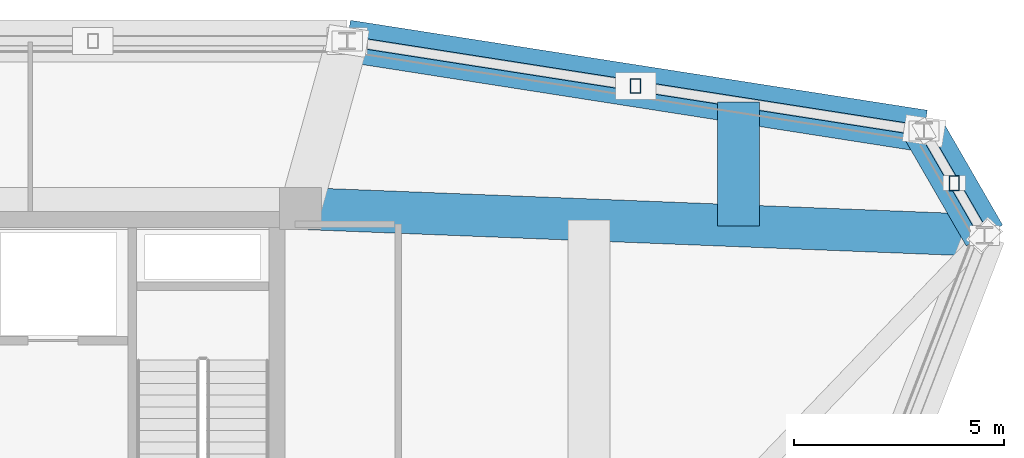
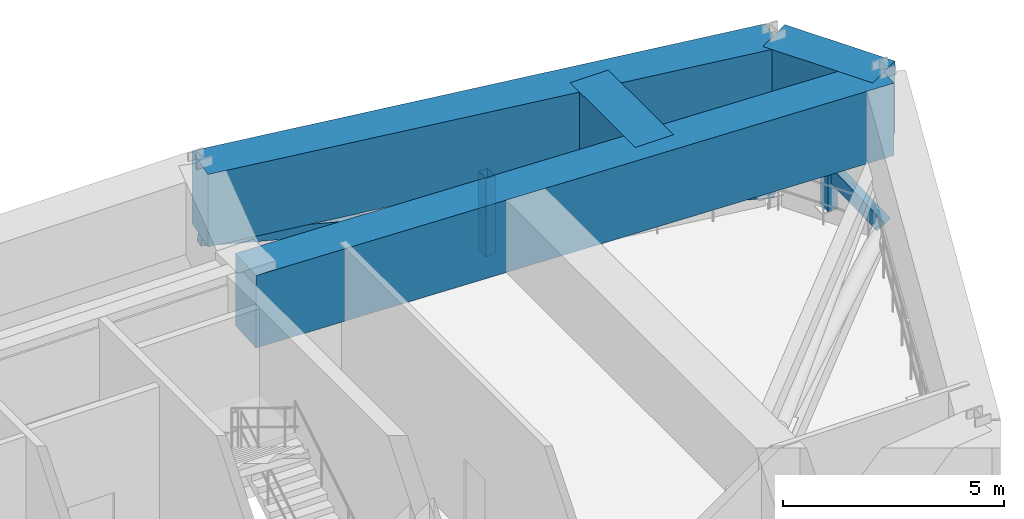
# One storey, part 6 of 11: 4 beams, 4 members.
"""IFC4 building model written with IfcOpenShell, lengths in metres."""

from ifc_helpers import new_model, si_unit, derived_unit, direction, frame, origin, origin_2d, place, context, subcontext, project, spatial, rectangle, hollow_rectangle, extrude, source, transform, mapped, material, material_profile, profile_set, type_object, element, save


model = new_model("IFC4")

# Units and contexts
model_context = context("Model", 3, precision=1e-05, world=origin(), true_north=direction((0.0, 1.0)))
body_context = subcontext(model_context, "Body", "Model", "MODEL_VIEW")
ifc_project = project(units=[si_unit("LENGTHUNIT", "METRE"), si_unit("AREAUNIT", "SQUARE_METRE"), si_unit("VOLUMEUNIT", "CUBIC_METRE"), si_unit("PLANEANGLEUNIT", "RADIAN"), si_unit("MASSUNIT", "GRAM", prefix="KILO"), derived_unit("THERMALTRANSMITTANCEUNIT", [(si_unit("POWERUNIT", "WATT"), 1), (si_unit("LENGTHUNIT", "METRE"), -2), (si_unit("THERMODYNAMICTEMPERATUREUNIT", "KELVIN"), -1)])], contexts=[model_context])

# Site, building, storey
site_placement = place(None, origin())
site = spatial("IfcSite", under=ifc_project, at=site_placement, CompositionType="ELEMENT")
building_placement = place(site_placement, origin())
building = spatial("IfcBuilding", under=site, at=building_placement, Name="Korsvarv Bourse and Concert Hall", CompositionType="ELEMENT")
storey_placement = place(building_placement, frame((0.0, 0.0, 238.199951171875)))
storey = spatial("IfcBuildingStorey", under=building, at=storey_placement, Name="L62", CompositionType="ELEMENT", Elevation=238.199951171875)

# Members
ifc_material_1 = material(Name="Steel S355", Category="steel")
ifc_material_profile_1 = material_profile(ifc_material_1, hollow_rectangle(XDim=0.25, YDim=0.35009765625, WallThickness=0.012451171875, at=origin_2d()), Name="RHS 350x250x12.5")
ifc_profile_set_1 = profile_set([ifc_material_profile_1], Name="Steel S355")
member_type = type_object("IfcMemberType", Name="MEM-RHS350", PredefinedType="STRUT", material=ifc_profile_set_1)
shared_shape_1 = source(origin(), body_context, "Body", "SweptSolid", [
    extrude(hollow_rectangle(XDim=0.25, YDim=0.35009765625, WallThickness=0.012451171875, at=origin_2d()), origin(), (0.0, 0.0, 1.0), 2.169921875),
])
for number, where, z_axis, x_axis, name in (
    (1, (60.72802734375, 47.85205078125, 0.35009765625), (0.0, 0.0, 1.0), (1.0, 0.0, 0.0), "L62 Perimeter Belt Truss Strut 1"),
    (2, (53.135498046875, 50.16943359375, 0.35009765625), (0.0, 0.0, 1.0), (1.0, 0.0, 0.0), "L62 Perimeter Belt Truss Strut 2"),
):
    element("IfcMember", number, at=place(storey_placement, frame(where, z_axis=z_axis, x_axis=x_axis)), inside=storey, type_object=member_type, Name=name, PredefinedType="STRUT", context=body_context, shape_type="MappedRepresentation", body=[
        mapped(shared_shape_1, transform((0.0, 0.0, 0.0), scale=1.0)),
    ])

# Beams
ifc_material_2 = material(Name="Concrete C60/75", Category="concrete")
ifc_material_profile_2 = material_profile(ifc_material_2, rectangle(XDim=1.0, YDim=2.0, at=origin_2d()), Name="RC-BM 1000x2000")
ifc_profile_set_2 = profile_set([ifc_material_profile_2], Name="Concrete C60/75")
beam_type = type_object("IfcBeamType", Name="BM-TR1", PredefinedType="BEAM", material=ifc_profile_set_2)
shared_shape_2 = source(origin(), body_context, "Body", "SweptSolid", [
    extrude(rectangle(XDim=1.0, YDim=2.0, at=origin_2d()), origin(), (0.0, 0.0, 1.0), 2.876708984375),
])
beam_1_placement = place(storey_placement, frame((61.447265625, 46.606201171875, 3.570068359375), z_axis=(-0.499945292477, 0.866056986884, 0.0), x_axis=(-0.866056986884, -0.499945292477, 0.0)))
element("IfcBeam", 3, at=beam_1_placement, inside=storey, type_object=beam_type, Name="L62 beam B-TR1", PredefinedType="BEAM", context=body_context, shape_type="MappedRepresentation", body=[
    mapped(shared_shape_2, transform((0.0, 0.0, 0.0), scale=1.0)),
])
shared_shape_3 = source(origin(), body_context, "Body", "SweptSolid", [
    extrude(rectangle(XDim=1.0, YDim=2.0, at=origin_2d()), origin(), (0.0, 0.0, 1.0), 13.913330078125),
])
beam_2_placement = place(storey_placement, frame((60.009033203125, 49.09765625, 3.570068359375), z_axis=(-0.988060911996, 0.154063734169, 0.0), x_axis=(-0.154063734169, -0.988060911996, 0.0)))
element("IfcBeam", 4, at=beam_2_placement, inside=storey, type_object=beam_type, Name="L62 beam B-TR1", PredefinedType="BEAM", context=body_context, shape_type="MappedRepresentation", body=[
    mapped(shared_shape_3, transform((0.0, 0.0, 0.0), scale=1.0)),
])
shared_shape_4 = source(origin(), body_context, "Body", "SweptSolid", [
    extrude(rectangle(XDim=1.0, YDim=2.0, at=origin_2d()), origin(), (0.0, 0.0, 1.0), 16.31005859375),
])
beam_3_placement = place(storey_placement, frame((61.447265625, 46.606201171875, 3.570068359375), z_axis=(-0.999220658598, 0.039472464223, 0.0), x_axis=(-0.039472464223, -0.999220658598, 0.0)))
element("IfcBeam", 5, at=beam_3_placement, inside=storey, type_object=beam_type, Name="L62 beam B-TR1", PredefinedType="BEAM", context=body_context, shape_type="MappedRepresentation", body=[
    mapped(shared_shape_4, transform((0.0, 0.0, 0.0), scale=1.0)),
])
shared_shape_5 = source(origin(), body_context, "Body", "SweptSolid", [
    extrude(rectangle(XDim=1.0, YDim=2.0, at=origin_2d()), origin(), (0.0, 0.0, 1.0), 2.948974609375),
])
beam_4_placement = place(storey_placement, frame((55.59033203125, 46.837646484375, 3.570068359375), z_axis=(0.0, 1.0, 0.0), x_axis=(-1.0, 0.0, 0.0)))
element("IfcBeam", 6, at=beam_4_placement, inside=storey, type_object=beam_type, Name="L62 Block-Shift Transverse Transfer Girder 2", PredefinedType="BEAM", context=body_context, shape_type="MappedRepresentation", body=[
    mapped(shared_shape_5, transform((0.0, 0.0, 0.0), scale=1.0)),
])

# Members
shared_shape_6 = source(origin(), body_context, "Body", "SweptSolid", [
    extrude(hollow_rectangle(XDim=0.25, YDim=0.35009765625, WallThickness=0.012451171875, at=origin_2d()), origin(), (0.0, 0.0, 1.0), 3.603271484375),
])
member_1_placement = place(storey_placement, frame((61.447265625, 46.606201171875, 0.35009765625), z_axis=(-0.399133119459, 0.691419705327, 0.602188960407), x_axis=(-0.866056986884, -0.499945292477, 0.0)))
element("IfcMember", 7, at=member_1_placement, inside=storey, type_object=member_type, Name="L62 Perimeter Belt Truss Diagonal 1", PredefinedType="STRUT", context=body_context, shape_type="MappedRepresentation", body=[
    mapped(shared_shape_6, transform((0.0, 0.0, 0.0), scale=1.0)),
])
shared_shape_7 = source(origin(), body_context, "Body", "SweptSolid", [
    extrude(hollow_rectangle(XDim=0.25, YDim=0.35009765625, WallThickness=0.012451171875, at=origin_2d()), origin(), (0.0, 0.0, 1.0), 14.08154296875),
])
member_2_placement = place(storey_placement, frame((60.009033203125, 49.09765625, 0.35009765625), z_axis=(-0.976259389391, 0.152223577738, 0.154096031769), x_axis=(-0.154063734169, -0.988060911996, 0.0)))
element("IfcMember", 8, at=member_2_placement, inside=storey, type_object=member_type, Name="L62 Perimeter Belt Truss Diagonal 2", PredefinedType="STRUT", context=body_context, shape_type="MappedRepresentation", body=[
    mapped(shared_shape_7, transform((0.0, 0.0, 0.0), scale=1.0)),
])

save(model, "model.ifc")
